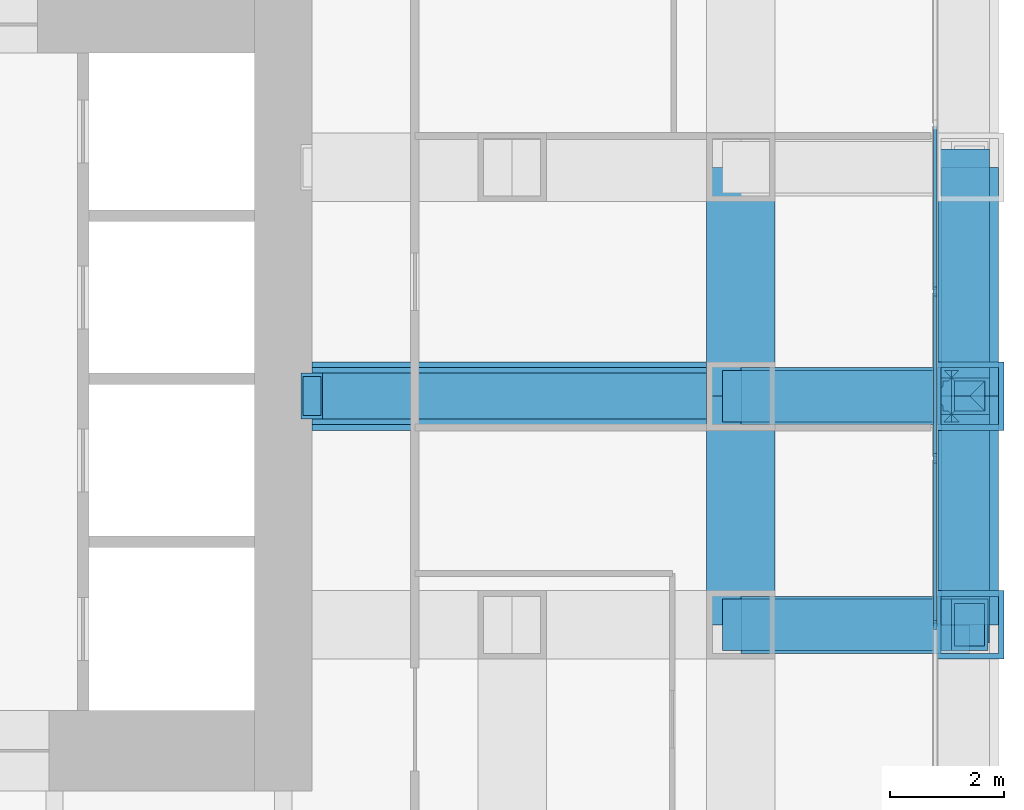
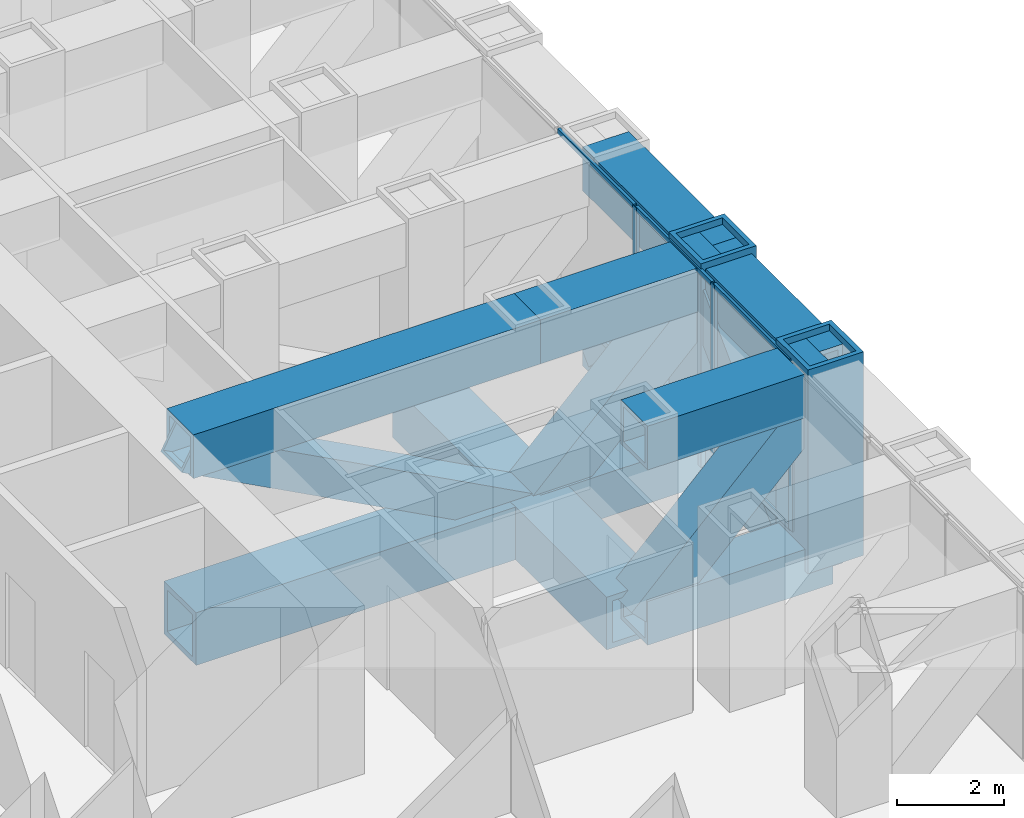
# One storey, part 7 of 18: 16 members, 12 beams, 1 element without a shape of its own.
"""IFC4 building model written with IfcOpenShell, lengths in metres."""

from ifc_helpers import new_model, si_unit, direction, frame, origin, origin_2d, place, context, subcontext, project, spatial, rectangle, hollow_rectangle, extrude, material, material_profile, profile_set, type_object, element, aggregate, save


model = new_model("IFC4")

# Units and contexts
model_context = context("Model", 3, precision=1e-05, world=origin(), true_north=direction((0.0, 1.0)))
body_context = subcontext(model_context, "Body", "Model", "MODEL_VIEW")
ifc_project = project(units=[si_unit("LENGTHUNIT", "METRE"), si_unit("AREAUNIT", "SQUARE_METRE"), si_unit("VOLUMEUNIT", "CUBIC_METRE"), si_unit("PLANEANGLEUNIT", "RADIAN"), si_unit("MASSUNIT", "GRAM", prefix="KILO")], contexts=[model_context])

# Site, building, storey
site_placement = place(None, origin())
site = spatial("IfcSite", under=ifc_project, at=site_placement, CompositionType="ELEMENT")
building_placement = place(site_placement, origin())
building = spatial("IfcBuilding", under=site, at=building_placement, Name="Rimbunsela Tower", CompositionType="ELEMENT")
storey_placement = place(building_placement, frame((0.0, 0.0, 11.0)))
storey = spatial("IfcBuildingStorey", under=building, at=storey_placement, Name="L02", CompositionType="ELEMENT", Elevation=11.0)

# Beams
ifc_material_1 = material(Name="Steel BJ 55 (fy 410 MPa)", Category="steel")
ifc_material_profile_1 = material_profile(ifc_material_1, hollow_rectangle(XDim=1.199951171875, YDim=1.199951171875, WallThickness=0.125, at=origin_2d()), Name="BOX 1200x1200x125")
ifc_profile_set_1 = profile_set([ifc_material_profile_1], Name="Steel BJ 55 (fy 410 MPa)")
beam_type_1 = type_object("IfcBeamType", Name="Beam BOX 1200x1200x125", PredefinedType="BEAM", material=ifc_profile_set_1)
beam_1_placement = place(storey_placement, frame((42.5, 24.0, -0.75), z_axis=(1.0, 0.0, 0.0), x_axis=(0.0, 1.0, 0.0)))
element("IfcBeam", 1, at=beam_1_placement, inside=storey, type_object=beam_type_1, Name="Beam B4 L02", PredefinedType="BEAM", context=body_context, shape_type="SweptSolid", body=[
    extrude(hollow_rectangle(XDim=1.199951171875, YDim=1.199951171875, WallThickness=0.125, at=origin_2d()), origin(), (0.0, 0.0, 1.0), 7.5),
])
for number, where, z_axis, x_axis, name in (
    (2, (50.0, 20.0, -0.75), (0.0, 1.0, 0.0), (-1.0, 0.0, 0.0), "Beam B4 L02"),
    (3, (50.0, 24.0, -0.75), (0.0, 1.0, 0.0), (-1.0, 0.0, 0.0), "Beam B4 L02"),
):
    element("IfcBeam", number, at=place(storey_placement, frame(where, z_axis=z_axis, x_axis=x_axis)), inside=storey, type_object=beam_type_1, Name=name, PredefinedType="BEAM", context=body_context, shape_type="SweptSolid", body=[
        extrude(hollow_rectangle(XDim=1.199951171875, YDim=1.199951171875, WallThickness=0.125, at=origin_2d()), origin(), (0.0, 0.0, 1.0), 4.0),
    ])

# Curtain wall, members
ifc_material_2 = material(Name="Aluminium curtain wall", Category="aluminium")
curtain_wall_type = type_object("IfcCurtainWallType", Name="Exoskeleton storey infill", PredefinedType="USERDEFINED", material=ifc_material_2)
curtain_wall_placement = place(storey_placement, origin())
curtain_wall = element("IfcCurtainWall", 4, at=curtain_wall_placement, inside=storey, type_object=curtain_wall_type, Name="Exoskeleton storey infill L02", ObjectType="EXOSKELETON STOREY INFILL", PredefinedType="USERDEFINED")
ifc_material_3 = material(Name="Aluminium mullion", Category="aluminium")
ifc_material_profile_2 = material_profile(ifc_material_3, rectangle(XDim=0.06005859375, YDim=0.159912109375, at=origin_2d()), Name="Mullion 60x160")
ifc_profile_set_2 = profile_set([ifc_material_profile_2], Name="Aluminium mullion")
member_type_1 = type_object("IfcMemberType", Name="Curtain wall mullion 60x160", PredefinedType="MULLION", material=ifc_profile_set_2)
member_1_placement = place(storey_placement, frame((53.39990234375, 20.0, 0.0), z_axis=(0.0, 0.0, 1.0), x_axis=(-1.0, 0.0, 0.0)))
member_1 = element("IfcMember", 5, at=member_1_placement, type_object=member_type_1, Name="CW2 mullion 8", PredefinedType="MULLION", context=body_context, shape_type="SweptSolid", body=[
    extrude(rectangle(XDim=0.06005859375, YDim=0.159912109375, at=origin_2d()), origin(), (0.0, 0.0, 1.0), 3.85009765625),
])
member_2_placement = place(storey_placement, frame((53.39990234375, 22.914306640625, 0.0), z_axis=(0.0, 0.0, 1.0), x_axis=(-1.0, 0.0, 0.0)))
member_2 = element("IfcMember", 6, at=member_2_placement, type_object=member_type_1, Name="CW2 mullion 9", PredefinedType="MULLION", context=body_context, shape_type="SweptSolid", body=[
    extrude(rectangle(XDim=0.06005859375, YDim=0.159912109375, at=origin_2d()), origin(), (0.0, 0.0, 1.0), 3.85009765625),
])
member_3_placement = place(storey_placement, frame((53.39990234375, 25.82861328125, 0.0), z_axis=(0.0, 0.0, 1.0), x_axis=(-1.0, 0.0, 0.0)))
member_3 = element("IfcMember", 7, at=member_3_placement, type_object=member_type_1, Name="CW2 mullion 10", PredefinedType="MULLION", context=body_context, shape_type="SweptSolid", body=[
    extrude(rectangle(XDim=0.06005859375, YDim=0.159912109375, at=origin_2d()), origin(), (0.0, 0.0, 1.0), 3.85009765625),
])
ifc_material_4 = material(Name="Aluminium transom", Category="aluminium")
ifc_material_profile_3 = material_profile(ifc_material_4, rectangle(XDim=0.06005859375, YDim=0.1201171875, at=origin_2d()), Name="Transom 60x120")
ifc_profile_set_3 = profile_set([ifc_material_profile_3], Name="Aluminium transom")
member_type_2 = type_object("IfcMemberType", Name="Curtain wall transom 60x120", PredefinedType="USERDEFINED", material=ifc_profile_set_3)
member_4_placement = place(storey_placement, frame((53.39990234375, 20.030029296875, 0.030029296875), z_axis=(0.0, 1.0, 0.0), x_axis=(-1.0, 0.0, 0.0)))
member_4 = element("IfcMember", 8, at=member_4_placement, type_object=member_type_2, Name="CW2 transom 8.1", ObjectType="TRANSOM", PredefinedType="USERDEFINED", context=body_context, shape_type="SweptSolid", body=[
    extrude(rectangle(XDim=0.06005859375, YDim=0.1201171875, at=origin_2d()), origin(), (0.0, 0.0, 1.0), 2.854248046875),
])
member_5_placement = place(storey_placement, frame((53.39990234375, 20.030029296875, 3.820068359375), z_axis=(0.0, 1.0, 0.0), x_axis=(-1.0, 0.0, 0.0)))
member_5 = element("IfcMember", 9, at=member_5_placement, type_object=member_type_2, Name="CW2 transom 8.2", ObjectType="TRANSOM", PredefinedType="USERDEFINED", context=body_context, shape_type="SweptSolid", body=[
    extrude(rectangle(XDim=0.06005859375, YDim=0.1201171875, at=origin_2d()), origin(), (0.0, 0.0, 1.0), 2.854248046875),
])
member_6_placement = place(storey_placement, frame((53.39990234375, 22.9443359375, 0.030029296875), z_axis=(0.0, 1.0, 0.0), x_axis=(-1.0, 0.0, 0.0)))
member_6 = element("IfcMember", 10, at=member_6_placement, type_object=member_type_2, Name="CW2 transom 9.1", ObjectType="TRANSOM", PredefinedType="USERDEFINED", context=body_context, shape_type="SweptSolid", body=[
    extrude(rectangle(XDim=0.06005859375, YDim=0.1201171875, at=origin_2d()), origin(), (0.0, 0.0, 1.0), 2.854248046875),
])
member_7_placement = place(storey_placement, frame((53.39990234375, 22.9443359375, 3.820068359375), z_axis=(0.0, 1.0, 0.0), x_axis=(-1.0, 0.0, 0.0)))
member_7 = element("IfcMember", 11, at=member_7_placement, type_object=member_type_2, Name="CW2 transom 9.2", ObjectType="TRANSOM", PredefinedType="USERDEFINED", context=body_context, shape_type="SweptSolid", body=[
    extrude(rectangle(XDim=0.06005859375, YDim=0.1201171875, at=origin_2d()), origin(), (0.0, 0.0, 1.0), 2.854248046875),
])
member_8_placement = place(storey_placement, frame((53.39990234375, 25.858642578125, 0.030029296875), z_axis=(0.0, 1.0, 0.0), x_axis=(-1.0, 0.0, 0.0)))
member_8 = element("IfcMember", 12, at=member_8_placement, type_object=member_type_2, Name="CW2 transom 10.1", ObjectType="TRANSOM", PredefinedType="USERDEFINED", context=body_context, shape_type="SweptSolid", body=[
    extrude(rectangle(XDim=0.06005859375, YDim=0.1201171875, at=origin_2d()), origin(), (0.0, 0.0, 1.0), 2.854248046875),
])
member_9_placement = place(storey_placement, frame((53.39990234375, 25.858642578125, 3.820068359375), z_axis=(0.0, 1.0, 0.0), x_axis=(-1.0, 0.0, 0.0)))
member_9 = element("IfcMember", 13, at=member_9_placement, type_object=member_type_2, Name="CW2 transom 10.2", ObjectType="TRANSOM", PredefinedType="USERDEFINED", context=body_context, shape_type="SweptSolid", body=[
    extrude(rectangle(XDim=0.06005859375, YDim=0.1201171875, at=origin_2d()), origin(), (0.0, 0.0, 1.0), 2.854248046875),
])
aggregate(curtain_wall, [member_1, member_2, member_3, member_4, member_5, member_6, member_7, member_8, member_9])

# Member
ifc_material_5 = material(Name="Steel BJ 55 (fy 410 MPa)", Category="steel")
ifc_material_profile_4 = material_profile(ifc_material_5, hollow_rectangle(XDim=0.800048828125, YDim=0.800048828125, WallThickness=0.06005859375, at=origin_2d()), Name="BOX 800x800x60")
ifc_profile_set_4 = profile_set([ifc_material_profile_4], Name="Steel BJ 55 (fy 410 MPa)")
member_type_3 = type_object("IfcMemberType", Name="Outrigger brace BOX 800x800x60", PredefinedType="BRACE", material=ifc_profile_set_4)
member_10_placement = place(storey_placement, frame((50.0, 24.0, -0.64990234375), z_axis=(-0.882352941176, 0.0, 0.470588235294), x_axis=(0.0, -1.0, 0.0)))
element("IfcMember", 14, at=member_10_placement, inside=storey, type_object=member_type_3, Name="Outrigger brace OB1 E L02", PredefinedType="BRACE", context=body_context, shape_type="SweptSolid", body=[
    extrude(hollow_rectangle(XDim=0.800048828125, YDim=0.800048828125, WallThickness=0.06005859375, at=origin_2d()), origin(), (0.0, 0.0, 1.0), 8.5),
])

# Beams
ifc_material_6 = material(Name="Steel BJ 55 (fy 410 MPa)", Category="steel")
ifc_material_profile_5 = material_profile(ifc_material_6, hollow_rectangle(XDim=1.0, YDim=1.0, WallThickness=0.10009765625, at=origin_2d()), Name="BOX 1000x1000x100")
ifc_profile_set_5 = profile_set([ifc_material_profile_5], Name="Steel BJ 55 (fy 410 MPa)")
beam_type_2 = type_object("IfcBeamType", Name="Truss chord BOX 1000x1000x100", PredefinedType="USERDEFINED", material=ifc_profile_set_5)
for number, where, z_axis, x_axis, name in (
    (15, (54.0, 20.0, 3.35009765625), (0.0, 1.0, 0.0), (-1.0, 0.0, 0.0), "Truss top chord TC1 E face L02"),
    (16, (54.0, 24.0, 3.35009765625), (0.0, 1.0, 0.0), (-1.0, 0.0, 0.0), "Truss top chord TC1 E face L02"),
    (17, (50.0, 20.0, -0.64990234375), (1.0, 0.0, 0.0), (0.0, 1.0, 0.0), "Cantilever truss bottom chord TC1 16/G L02"),
    (18, (50.0, 20.0, 3.35009765625), (1.0, 0.0, 0.0), (0.0, 1.0, 0.0), "Cantilever truss top chord TC1 16/G L02"),
    (19, (50.0, 24.0, -0.64990234375), (1.0, 0.0, 0.0), (0.0, 1.0, 0.0), "Cantilever truss bottom chord TC1 16/H L02"),
):
    element("IfcBeam", number, at=place(storey_placement, frame(where, z_axis=z_axis, x_axis=x_axis)), inside=storey, type_object=beam_type_2, Name=name, ObjectType="TRUSS CHORD", PredefinedType="USERDEFINED", context=body_context, shape_type="SweptSolid", body=[
        extrude(hollow_rectangle(XDim=1.0, YDim=1.0, WallThickness=0.10009765625, at=origin_2d()), origin(), (0.0, 0.0, 1.0), 4.0),
    ])
beam_2_placement = place(storey_placement, frame((42.5, 24.0, 3.35009765625), z_axis=(1.0, 0.0, 0.0), x_axis=(0.0, 1.0, 0.0)))
element("IfcBeam", 20, at=beam_2_placement, inside=storey, type_object=beam_type_2, Name="Cantilever truss top chord TC1 16/H L02", ObjectType="TRUSS CHORD", PredefinedType="USERDEFINED", context=body_context, shape_type="SweptSolid", body=[
    extrude(hollow_rectangle(XDim=1.0, YDim=1.0, WallThickness=0.10009765625, at=origin_2d()), origin(), (0.0, 0.0, 1.0), 7.5),
])
for number, where, z_axis, x_axis, name in (
    (21, (50.0, 24.0, 3.35009765625), (1.0, 0.0, 0.0), (0.0, 1.0, 0.0), "Cantilever truss top chord TC1 16/H L02"),
    (22, (54.0, 20.0, -0.64990234375), (0.0, 1.0, 0.0), (-1.0, 0.0, 0.0), "Truss bottom chord TC1 E face L02"),
    (23, (54.0, 24.0, -0.64990234375), (0.0, 1.0, 0.0), (-1.0, 0.0, 0.0), "Truss bottom chord TC1 E face L02"),
):
    element("IfcBeam", number, at=place(storey_placement, frame(where, z_axis=z_axis, x_axis=x_axis)), inside=storey, type_object=beam_type_2, Name=name, ObjectType="TRUSS CHORD", PredefinedType="USERDEFINED", context=body_context, shape_type="SweptSolid", body=[
        extrude(hollow_rectangle(XDim=1.0, YDim=1.0, WallThickness=0.10009765625, at=origin_2d()), origin(), (0.0, 0.0, 1.0), 4.0),
    ])

# Members
ifc_material_7 = material(Name="Steel BJ 55 (fy 410 MPa)", Category="steel")
ifc_material_profile_6 = material_profile(ifc_material_7, hollow_rectangle(XDim=0.89990234375, YDim=0.89990234375, WallThickness=0.080078125, at=origin_2d()), Name="BOX 900x900x80")
ifc_profile_set_6 = profile_set([ifc_material_profile_6], Name="Steel BJ 55 (fy 410 MPa)")
member_type_4 = type_object("IfcMemberType", Name="Truss diagonal BOX 900x900x80", PredefinedType="BRACE", material=ifc_profile_set_6)
for number, where, z_axis, x_axis, name in (
    (24, (53.89990234375, 20.0, -0.64990234375), (0.0, 0.707106781187, 0.707106781187), (-1.0, 0.0, 0.0), "Truss diagonal TD1 E face L02"),
    (25, (53.89990234375, 24.0, 3.35009765625), (0.0, 0.707106781187, -0.707106781187), (-1.0, 0.0, 0.0), "Truss diagonal TD1 E face L02"),
    (26, (50.0, 20.0, -0.64990234375), (0.707106781187, 0.0, 0.707106781187), (0.0, 1.0, 0.0), "Cantilever truss diagonal TD1 16/G L02"),
    (27, (50.0, 24.0, -0.64990234375), (0.707106781187, 0.0, 0.707106781187), (0.0, 1.0, 0.0), "Cantilever truss diagonal TD1 16/H L02"),
):
    element("IfcMember", number, at=place(storey_placement, frame(where, z_axis=z_axis, x_axis=x_axis)), inside=storey, type_object=member_type_4, Name=name, PredefinedType="BRACE", context=body_context, shape_type="SweptSolid", body=[
        extrude(hollow_rectangle(XDim=0.89990234375, YDim=0.89990234375, WallThickness=0.080078125, at=origin_2d()), origin(), (0.0, 0.0, 1.0), 5.65673828125),
    ])
ifc_material_8 = material(Name="Steel BJ 55 (fy 410 MPa)", Category="steel")
ifc_material_profile_7 = material_profile(ifc_material_8, hollow_rectangle(XDim=1.199951171875, YDim=1.199951171875, WallThickness=0.10009765625, at=origin_2d()), Name="BOX 1200x1200x100")
ifc_profile_set_7 = profile_set([ifc_material_profile_7], Name="Steel BJ 55 (fy 410 MPa)")
member_type_5 = type_object("IfcMemberType", Name="Truss post BOX 1200x1200x100", PredefinedType="POST", material=ifc_profile_set_7)
for number, where, z_axis, x_axis, name in (
    (28, (54.0, 20.0, -0.64990234375), (0.0, 0.0, 1.0), (1.0, 0.0, 0.0), "Truss post TP1 16/G L02"),
    (29, (54.0, 24.0, -0.64990234375), (0.0, 0.0, 1.0), (1.0, 0.0, 0.0), "Truss post TP1 16/H L02"),
):
    element("IfcMember", number, at=place(storey_placement, frame(where, z_axis=z_axis, x_axis=x_axis)), inside=storey, type_object=member_type_5, Name=name, PredefinedType="POST", context=body_context, shape_type="SweptSolid", body=[
        extrude(hollow_rectangle(XDim=1.199951171875, YDim=1.199951171875, WallThickness=0.10009765625, at=origin_2d()), origin(), (0.0, 0.0, 1.0), 4.64990234375),
    ])

save(model, "model.ifc")
